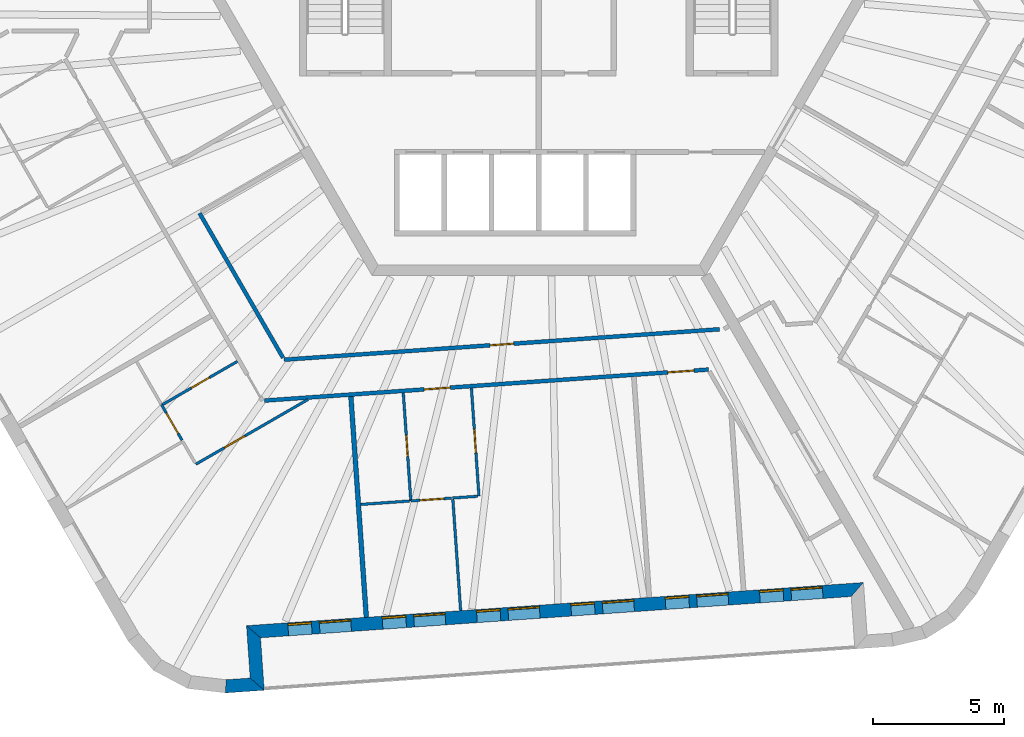
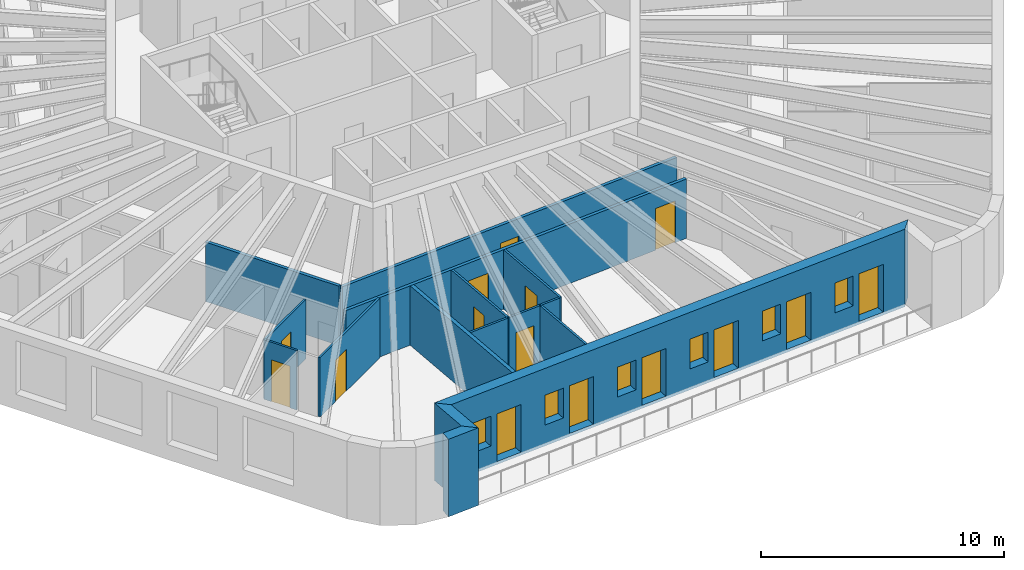
# One storey, part 3 of 12: 16 walls, 15 doors, 6 windows, 21 openings.
"""IFC4 building model written with IfcOpenShell, lengths in metres."""

from ifc_helpers import new_model, si_unit, direction, frame, frame_2d, origin, place, context, subcontext, project, spatial, polyline, rectangle, outline, extrude, material, layer, layer_set, type_object, element, fill, save


model = new_model("IFC4")

# Units and contexts
model_context = context("Model", 3, precision=1e-05, world=origin(), true_north=direction((0.0, 1.0)))
body_context = subcontext(model_context, "Body", "Model", "MODEL_VIEW")
ifc_project = project(units=[si_unit("LENGTHUNIT", "METRE"), si_unit("AREAUNIT", "SQUARE_METRE"), si_unit("VOLUMEUNIT", "CUBIC_METRE"), si_unit("PLANEANGLEUNIT", "RADIAN"), si_unit("MASSUNIT", "GRAM", prefix="KILO")], contexts=[model_context])

# Site, building, storey
site_placement = place(None, origin())
site = spatial("IfcSite", under=ifc_project, at=site_placement, CompositionType="ELEMENT")
building_placement = place(site_placement, origin())
building = spatial("IfcBuilding", under=site, at=building_placement, Name="Tarnside Tower", CompositionType="ELEMENT")
storey_placement = place(building_placement, frame((0.0, 0.0, 310.800048828125)))
storey = spatial("IfcBuildingStorey", under=building, at=storey_placement, Name="L75", CompositionType="ELEMENT", Elevation=310.800048828125)

# Wall, opening, door
ifc_material_1 = material(Name="Gypsum board partition on steel studs", Category="steel")
ifc_layer_1 = layer(ifc_material_1, 0.10009765625)
ifc_layer_set_1 = layer_set([ifc_layer_1], Name="Bathroom wall 100")
wall_type_1 = type_object("IfcWallType", Name="Bathroom wall 100", PredefinedType="PARTITIONING", material=ifc_layer_set_1)
wall_1_placement = place(storey_placement, frame((-11.47509765625, -14.274658203125, 0.0), z_axis=(0.0, 0.0, 1.0), x_axis=(-0.866002163101, -0.500040251884, 0.0)))
wall_1 = element("IfcWall", 1, at=wall_1_placement, inside=storey, type_object=wall_type_1, Name="Bathroom wall 24130", PredefinedType="PARTITIONING", context=body_context, shape_type="SweptSolid", body=[
    extrude(rectangle(XDim=3.324951171875, YDim=0.10009765625, at=frame_2d((1.66259765625, 0.0))), origin(), (0.0, 0.0, 1.0), 2.98779296875),
])
opening_1_placement = place(wall_1_placement, frame((1.22509765625, 0.0, 0.0)))
opening_1 = element("IfcOpeningElement", 2, at=opening_1_placement, cuts=wall_1, Name="Opening D-B1", PredefinedType="OPENING", context=body_context, shape_type="SweptSolid", body=[
    extrude(rectangle(XDim=0.800048828125, YDim=2.10009765625, at=frame_2d((0.39990234375, 1.050048828125))), frame((0.0, 0.06005859375, 0.0), z_axis=(0.0, -1.0, 0.0), x_axis=(1.0, 0.0, 0.0)), (0.0, 0.0, 1.0), 0.1201171875),
])
ifc_material_2 = material(Name="Timber door leaf", Category="wood")
door_type_1 = type_object("IfcDoorType", Name="Bathroom door 800", OperationType="NOTDEFINED", PredefinedType="DOOR", material=ifc_material_2)
door_1_placement = place(opening_1_placement, origin())
door_1 = element("IfcDoor", 3, at=door_1_placement, inside=storey, type_object=door_type_1, Name="Bathroom door 24034", OperationType="SINGLE_SWING_RIGHT", OverallHeight=2.10009765625, OverallWidth=0.800048828125, PredefinedType="DOOR", context=body_context, shape_type="SweptSolid", body=[
    extrude(rectangle(XDim=0.800048828125, YDim=2.10009765625, at=frame_2d((0.39990234375, 1.050048828125))), frame((0.0, 0.02490234375, 0.0), z_axis=(0.0, -1.0, 0.0), x_axis=(1.0, 0.0, 0.0)), (0.0, 0.0, 1.0), 0.050048828125),
])
fill(opening_1, door_1)

wall_2_placement = place(storey_placement, frame((-5.157958984375, -15.472412109375, 0.0), z_axis=(0.0, 0.0, 1.0), x_axis=(0.069779065701, -0.997562470219, 0.0)))
wall_2 = element("IfcWall", 4, at=wall_2_placement, inside=storey, type_object=wall_type_1, Name="Bathroom wall 24137", PredefinedType="PARTITIONING", context=body_context, shape_type="SweptSolid", body=[
    extrude(rectangle(XDim=4.125, YDim=0.10009765625, at=frame_2d((2.0625, 0.0))), origin(), (0.0, 0.0, 1.0), 2.98779296875),
])
opening_2_placement = place(wall_2_placement, frame((1.625, 0.0, 0.0)))
opening_2 = element("IfcOpeningElement", 5, at=opening_2_placement, cuts=wall_2, Name="Opening D-B1", PredefinedType="OPENING", context=body_context, shape_type="SweptSolid", body=[
    extrude(rectangle(XDim=0.800048828125, YDim=2.10009765625, at=frame_2d((0.39990234375, 1.050048828125))), frame((0.0, 0.06005859375, 0.0), z_axis=(0.0, -1.0, 0.0), x_axis=(1.0, 0.0, 0.0)), (0.0, 0.0, 1.0), 0.1201171875),
])
door_2_placement = place(opening_2_placement, origin())
door_2 = element("IfcDoor", 6, at=door_2_placement, inside=storey, type_object=door_type_1, Name="Bathroom door 24038", OperationType="SINGLE_SWING_RIGHT", OverallHeight=2.10009765625, OverallWidth=0.800048828125, PredefinedType="DOOR", context=body_context, shape_type="SweptSolid", body=[
    extrude(rectangle(XDim=0.800048828125, YDim=2.10009765625, at=frame_2d((0.39990234375, 1.050048828125))), frame((0.0, 0.02490234375, 0.0), z_axis=(0.0, -1.0, 0.0), x_axis=(1.0, 0.0, 0.0)), (0.0, 0.0, 1.0), 0.050048828125),
])
fill(opening_2, door_2)

# Wall
wall_3_placement = place(storey_placement, frame((-6.775634765625, -19.720703125, 0.0), z_axis=(0.0, 0.0, 1.0), x_axis=(0.997564079323, 0.069756058123, 0.0)))
element("IfcWall", 7, at=wall_3_placement, inside=storey, type_object=wall_type_1, Name="Bathroom wall 24139", PredefinedType="PARTITIONING", context=body_context, shape_type="SweptSolid", body=[
    extrude(rectangle(XDim=1.862060546875, YDim=0.10009765625, at=frame_2d((0.93115234375, 0.0))), origin(), (0.0, 0.0, 1.0), 2.98779296875),
])

# Wall, openings, doors
ifc_layer_2 = layer(ifc_material_1, 0.14990234375)
ifc_layer_set_2 = layer_set([ifc_layer_2], Name="Corridor wall 150 EI 60")
wall_type_2 = type_object("IfcWallType", Name="Corridor wall 150 EI 60", PredefinedType="PARTITIONING", material=ifc_layer_set_2)
wall_4_placement = place(storey_placement, frame((-10.4404296875, -15.7666015625, 0.0), z_axis=(0.0, 0.0, 1.0), x_axis=(0.997565037323, 0.069742356651, 0.0)))
wall_4 = element("IfcWall", 8, at=wall_4_placement, inside=storey, type_object=wall_type_2, Name="Corridor wall 24034", PredefinedType="PARTITIONING", context=body_context, shape_type="SweptSolid", body=[
    extrude(rectangle(XDim=16.939453125, YDim=0.14990234375, at=frame_2d((8.4697265625, 0.0))), origin(), (0.0, 0.0, 1.0), 2.98779296875),
])
opening_3_placement = place(wall_4_placement, frame((6.090087890625, 0.0, 0.0)))
opening_3 = element("IfcOpeningElement", 9, at=opening_3_placement, cuts=wall_4, Name="Opening D-E1", PredefinedType="OPENING", context=body_context, shape_type="SweptSolid", body=[
    extrude(rectangle(XDim=1.0, YDim=2.10009765625, at=frame_2d((0.5, 1.050048828125))), frame((0.0, 0.0849609375, 0.0), z_axis=(0.0, -1.0, 0.0), x_axis=(1.0, 0.0, 0.0)), (0.0, 0.0, 1.0), 0.169921875),
])
opening_4_placement = place(wall_4_placement, frame((15.39013671875, 0.0, 0.0)))
opening_4 = element("IfcOpeningElement", 10, at=opening_4_placement, cuts=wall_4, Name="Opening D-E1", PredefinedType="OPENING", context=body_context, shape_type="SweptSolid", body=[
    extrude(rectangle(XDim=1.0, YDim=2.10009765625, at=frame_2d((0.5, 1.050048828125))), frame((0.0, 0.0849609375, 0.0), z_axis=(0.0, -1.0, 0.0), x_axis=(1.0, 0.0, 0.0)), (0.0, 0.0, 1.0), 0.169921875),
])
door_type_2 = type_object("IfcDoorType", Name="Unit entrance door 1000 FD30S", OperationType="NOTDEFINED", PredefinedType="DOOR", material=ifc_material_2)
door_3_placement = place(opening_3_placement, origin())
door_3 = element("IfcDoor", 11, at=door_3_placement, inside=storey, type_object=door_type_2, Name="Unit door 24037", OperationType="SINGLE_SWING_LEFT", OverallHeight=2.10009765625, OverallWidth=1.0, PredefinedType="DOOR", context=body_context, shape_type="SweptSolid", body=[
    extrude(rectangle(XDim=1.0, YDim=2.10009765625, at=frame_2d((0.5, 1.050048828125))), frame((0.0, 0.02490234375, 0.0), z_axis=(0.0, -1.0, 0.0), x_axis=(1.0, 0.0, 0.0)), (0.0, 0.0, 1.0), 0.050048828125),
])
fill(opening_3, door_3)
door_4_placement = place(opening_4_placement, origin())
door_4 = element("IfcDoor", 12, at=door_4_placement, inside=storey, type_object=door_type_2, Name="Unit door 24041", OperationType="SINGLE_SWING_LEFT", OverallHeight=2.10009765625, OverallWidth=1.0, PredefinedType="DOOR", context=body_context, shape_type="SweptSolid", body=[
    extrude(rectangle(XDim=1.0, YDim=2.10009765625, at=frame_2d((0.5, 1.050048828125))), frame((0.0, 0.02490234375, 0.0), z_axis=(0.0, -1.0, 0.0), x_axis=(1.0, 0.0, 0.0)), (0.0, 0.0, 1.0), 0.050048828125),
])
fill(opening_4, door_4)

# Wall, opening, door
wall_5_placement = place(storey_placement, frame((6.88427734375, -13.051513671875, 0.0), z_axis=(0.0, 0.0, 1.0), x_axis=(-0.997564224443, -0.069753982764, 0.0)))
wall_5 = element("IfcWall", 13, at=wall_5_placement, inside=storey, type_object=wall_type_2, Name="Corridor wall 24051", PredefinedType="PARTITIONING", context=body_context, shape_type="SweptSolid", body=[
    extrude(rectangle(XDim=16.6181640625, YDim=0.14990234375, at=frame_2d((8.30908203125, 0.0))), origin(), (0.0, 0.0, 1.0), 2.98779296875),
])
opening_5_placement = place(wall_5_placement, frame((7.85888671875, 0.0, 0.0)))
opening_5 = element("IfcOpeningElement", 14, at=opening_5_placement, cuts=wall_5, Name="Opening D-S1", PredefinedType="OPENING", context=body_context, shape_type="SweptSolid", body=[
    extrude(rectangle(XDim=0.89990234375, YDim=2.10009765625, at=frame_2d((0.449951171875, 1.050048828125))), frame((0.0, 0.0849609375, 0.0), z_axis=(0.0, -1.0, 0.0), x_axis=(1.0, 0.0, 0.0)), (0.0, 0.0, 1.0), 0.169921875),
])
door_type_3 = type_object("IfcDoorType", Name="Service room door 900 FD30S", OperationType="NOTDEFINED", PredefinedType="DOOR", material=ifc_material_2)
door_5_placement = place(opening_5_placement, origin())
door_5 = element("IfcDoor", 15, at=door_5_placement, inside=storey, type_object=door_type_3, Name="Service door 24066", OperationType="SINGLE_SWING_RIGHT", OverallHeight=2.10009765625, OverallWidth=0.89990234375, PredefinedType="DOOR", context=body_context, shape_type="SweptSolid", body=[
    extrude(rectangle(XDim=0.89990234375, YDim=2.10009765625, at=frame_2d((0.449951171875, 1.050048828125))), frame((0.0, 0.02490234375, 0.0), z_axis=(0.0, -1.0, 0.0), x_axis=(1.0, 0.0, 0.0)), (0.0, 0.0, 1.0), 0.050048828125),
])
fill(opening_5, door_5)

# Walls
wall_6_placement = place(storey_placement, frame((-9.73486328125, -14.138427734375, 0.0), z_axis=(0.0, 0.0, 1.0), x_axis=(-0.500018385592, 0.866014788598, 0.0)))
element("IfcWall", 16, at=wall_6_placement, inside=storey, type_object=wall_type_2, Name="Corridor wall 24052", PredefinedType="PARTITIONING", context=body_context, shape_type="SweptSolid", body=[
    extrude(rectangle(XDim=6.355712890625, YDim=0.14990234375, at=frame_2d((3.177734375, 0.0))), origin(), (0.0, 0.0, 1.0), 2.98779296875),
])
ifc_layer_3 = layer(ifc_material_1, 0.179931640625)
ifc_layer_set_3 = layer_set([ifc_layer_3], Name="Demising wall 180 EI 60")
wall_type_3 = type_object("IfcWallType", Name="Demising wall 180 EI 60", PredefinedType="PARTITIONING", material=ifc_layer_set_3)
wall_7_placement = place(storey_placement, frame((-6.5654296875, -24.0166015625, 0.0), z_axis=(0.0, 0.0, 1.0), x_axis=(-0.069749826803, 0.997564515037, 0.0)))
element("IfcWall", 17, at=wall_7_placement, inside=storey, type_object=wall_type_3, Name="Demising wall 24128", PredefinedType="PARTITIONING", context=body_context, shape_type="SweptSolid", body=[
    extrude(rectangle(XDim=8.425048828125, YDim=0.179931640625, at=frame_2d((4.21240234375, 0.0))), origin(), (0.0, 0.0, 1.0), 2.98779296875),
])
ifc_material_3 = material(Name="Dark zinc cladding")
ifc_layer_4 = layer(ifc_material_3, 0.10205078125)
ifc_material_4 = material(Name="Concrete C60/75 precast", Category="concrete")
ifc_layer_5 = layer(ifc_material_4, 0.298095703125)
ifc_material_5 = material(Name="Mineral wool insulation")
ifc_layer_6 = layer(ifc_material_5, 0.10009765625)
ifc_layer_set_4 = layer_set([ifc_layer_4, ifc_layer_5, ifc_layer_6], Name="Loggia wall 500 zinc faced")
wall_type_4 = type_object("IfcWallType", Name="Loggia wall 500 zinc faced", PredefinedType="SOLIDWALL", material=ifc_layer_set_4)
wall_8_placement = place(storey_placement, frame((-11.91748046875, -26.646240234375, -0.150146484375), z_axis=(0.0, 0.0, 1.0), x_axis=(0.997562933087, 0.069772448216, 0.0)))
element("IfcWall", 18, at=wall_8_placement, inside=storey, type_object=wall_type_4, Name="Tube wall L75 F4 stub 16", PredefinedType="SOLIDWALL", context=body_context, shape_type="SweptSolid", body=[
    extrude(outline(polyline([(-0.0234375, -0.25), (1.4501953125, -0.25), (0.9501953125, 0.25), (0.0234375, 0.25), (-0.0234375, -0.25)])), origin(), (0.0, 0.0, 1.0), 3.900146484375),
])
wall_9_placement = place(storey_placement, frame((-10.72021484375, -26.5625, -0.150146484375), z_axis=(0.0, 0.0, 1.0), x_axis=(-0.069824268692, 0.99755930726, 0.0)))
element("IfcWall", 19, at=wall_9_placement, inside=storey, type_object=wall_type_4, Name="Tube wall L75 F4 return 17", PredefinedType="SOLIDWALL", context=body_context, shape_type="SweptSolid", body=[
    extrude(outline(polyline([(-0.25, -0.25), (1.75, -0.25), (2.25, 0.25), (0.25, 0.25), (-0.25, -0.25)])), origin(), (0.0, 0.0, 1.0), 3.900146484375),
])

# Wall, openings, doors, windows
wall_10_placement = place(storey_placement, frame((-10.85986328125, -24.5673828125, -0.150146484375), z_axis=(0.0, 0.0, 1.0), x_axis=(0.997564329317, 0.06975248292, 0.0)))
wall_10 = element("IfcWall", 20, at=wall_10_placement, inside=storey, type_object=wall_type_4, Name="Tube wall L75 F4 back 18", PredefinedType="SOLIDWALL", context=body_context, shape_type="SweptSolid", body=[
    extrude(outline(polyline([(0.25, -0.25), (22.794677734375, -0.25), (23.294677734375, 0.25), (-0.25, 0.25), (0.25, -0.25)])), origin(), (0.0, 0.0, 1.0), 3.900146484375),
])
opening_6_placement = place(wall_10_placement, frame((1.322509765625, 0.0, 1.050048828125)))
opening_6 = element("IfcOpeningElement", 21, at=opening_6_placement, cuts=wall_10, Name="Opening WL500", PredefinedType="OPENING", context=body_context, shape_type="SweptSolid", body=[
    extrude(rectangle(XDim=0.89990234375, YDim=1.5, at=frame_2d((0.449951171875, 0.75))), frame((0.0, 0.260009765625, 0.0), z_axis=(0.0, -1.0, 0.0), x_axis=(1.0, 0.0, 0.0)), (0.0, 0.0, 1.0), 0.52001953125),
])
opening_7_placement = place(wall_10_placement, frame((2.5224609375, 0.0, 0.14990234375)))
opening_7 = element("IfcOpeningElement", 22, at=opening_7_placement, cuts=wall_10, Name="Opening DB500", PredefinedType="OPENING", context=body_context, shape_type="SweptSolid", body=[
    extrude(rectangle(XDim=1.199951171875, YDim=2.39990234375, at=frame_2d((0.60009765625, 1.199951171875))), frame((0.0, 0.260009765625, 0.0), z_axis=(0.0, -1.0, 0.0), x_axis=(1.0, 0.0, 0.0)), (0.0, 0.0, 1.0), 0.52001953125),
])
opening_8_placement = place(wall_10_placement, frame((4.92236328125, 0.0, 1.050048828125)))
opening_8 = element("IfcOpeningElement", 23, at=opening_8_placement, cuts=wall_10, Name="Opening WL500", PredefinedType="OPENING", context=body_context, shape_type="SweptSolid", body=[
    extrude(rectangle(XDim=0.89990234375, YDim=1.5, at=frame_2d((0.449951171875, 0.75))), frame((0.0, 0.260009765625, 0.0), z_axis=(0.0, -1.0, 0.0), x_axis=(1.0, 0.0, 0.0)), (0.0, 0.0, 1.0), 0.52001953125),
])
opening_9_placement = place(wall_10_placement, frame((6.122314453125, 0.0, 0.14990234375)))
opening_9 = element("IfcOpeningElement", 24, at=opening_9_placement, cuts=wall_10, Name="Opening DB500", PredefinedType="OPENING", context=body_context, shape_type="SweptSolid", body=[
    extrude(rectangle(XDim=1.199951171875, YDim=2.39990234375, at=frame_2d((0.60009765625, 1.199951171875))), frame((0.0, 0.260009765625, 0.0), z_axis=(0.0, -1.0, 0.0), x_axis=(1.0, 0.0, 0.0)), (0.0, 0.0, 1.0), 0.52001953125),
])
opening_10_placement = place(wall_10_placement, frame((8.5224609375, 0.0, 1.050048828125)))
opening_10 = element("IfcOpeningElement", 25, at=opening_10_placement, cuts=wall_10, Name="Opening WL500", PredefinedType="OPENING", context=body_context, shape_type="SweptSolid", body=[
    extrude(rectangle(XDim=0.89990234375, YDim=1.5, at=frame_2d((0.449951171875, 0.75))), frame((0.0, 0.260009765625, 0.0), z_axis=(0.0, -1.0, 0.0), x_axis=(1.0, 0.0, 0.0)), (0.0, 0.0, 1.0), 0.52001953125),
])
opening_11_placement = place(wall_10_placement, frame((9.722412109375, 0.0, 0.14990234375)))
opening_11 = element("IfcOpeningElement", 26, at=opening_11_placement, cuts=wall_10, Name="Opening DB500", PredefinedType="OPENING", context=body_context, shape_type="SweptSolid", body=[
    extrude(rectangle(XDim=1.199951171875, YDim=2.39990234375, at=frame_2d((0.60009765625, 1.199951171875))), frame((0.0, 0.260009765625, 0.0), z_axis=(0.0, -1.0, 0.0), x_axis=(1.0, 0.0, 0.0)), (0.0, 0.0, 1.0), 0.52001953125),
])
opening_12_placement = place(wall_10_placement, frame((12.122314453125, 0.0, 1.050048828125)))
opening_12 = element("IfcOpeningElement", 27, at=opening_12_placement, cuts=wall_10, Name="Opening WL500", PredefinedType="OPENING", context=body_context, shape_type="SweptSolid", body=[
    extrude(rectangle(XDim=0.89990234375, YDim=1.5, at=frame_2d((0.449951171875, 0.75))), frame((0.0, 0.260009765625, 0.0), z_axis=(0.0, -1.0, 0.0), x_axis=(1.0, 0.0, 0.0)), (0.0, 0.0, 1.0), 0.52001953125),
])
opening_13_placement = place(wall_10_placement, frame((13.322509765625, 0.0, 0.14990234375)))
opening_13 = element("IfcOpeningElement", 28, at=opening_13_placement, cuts=wall_10, Name="Opening DB500", PredefinedType="OPENING", context=body_context, shape_type="SweptSolid", body=[
    extrude(rectangle(XDim=1.199951171875, YDim=2.39990234375, at=frame_2d((0.60009765625, 1.199951171875))), frame((0.0, 0.260009765625, 0.0), z_axis=(0.0, -1.0, 0.0), x_axis=(1.0, 0.0, 0.0)), (0.0, 0.0, 1.0), 0.52001953125),
])
opening_14_placement = place(wall_10_placement, frame((15.722412109375, 0.0, 1.050048828125)))
opening_14 = element("IfcOpeningElement", 29, at=opening_14_placement, cuts=wall_10, Name="Opening WL500", PredefinedType="OPENING", context=body_context, shape_type="SweptSolid", body=[
    extrude(rectangle(XDim=0.89990234375, YDim=1.5, at=frame_2d((0.449951171875, 0.75))), frame((0.0, 0.260009765625, 0.0), z_axis=(0.0, -1.0, 0.0), x_axis=(1.0, 0.0, 0.0)), (0.0, 0.0, 1.0), 0.52001953125),
])
opening_15_placement = place(wall_10_placement, frame((16.92236328125, 0.0, 0.14990234375)))
opening_15 = element("IfcOpeningElement", 30, at=opening_15_placement, cuts=wall_10, Name="Opening DB500", PredefinedType="OPENING", context=body_context, shape_type="SweptSolid", body=[
    extrude(rectangle(XDim=1.199951171875, YDim=2.39990234375, at=frame_2d((0.60009765625, 1.199951171875))), frame((0.0, 0.260009765625, 0.0), z_axis=(0.0, -1.0, 0.0), x_axis=(1.0, 0.0, 0.0)), (0.0, 0.0, 1.0), 0.52001953125),
])
opening_16_placement = place(wall_10_placement, frame((19.322509765625, 0.0, 1.050048828125)))
opening_16 = element("IfcOpeningElement", 31, at=opening_16_placement, cuts=wall_10, Name="Opening WL500", PredefinedType="OPENING", context=body_context, shape_type="SweptSolid", body=[
    extrude(rectangle(XDim=0.89990234375, YDim=1.5, at=frame_2d((0.449951171875, 0.75))), frame((0.0, 0.260009765625, 0.0), z_axis=(0.0, -1.0, 0.0), x_axis=(1.0, 0.0, 0.0)), (0.0, 0.0, 1.0), 0.52001953125),
])
opening_17_placement = place(wall_10_placement, frame((20.5224609375, 0.0, 0.14990234375)))
opening_17 = element("IfcOpeningElement", 32, at=opening_17_placement, cuts=wall_10, Name="Opening DB500", PredefinedType="OPENING", context=body_context, shape_type="SweptSolid", body=[
    extrude(rectangle(XDim=1.199951171875, YDim=2.39990234375, at=frame_2d((0.60009765625, 1.199951171875))), frame((0.0, 0.260009765625, 0.0), z_axis=(0.0, -1.0, 0.0), x_axis=(1.0, 0.0, 0.0)), (0.0, 0.0, 1.0), 0.52001953125),
])
ifc_material_6 = material(Name="Aluminium-framed double glazing", Category="aluminium")
door_type_4 = type_object("IfcDoorType", Name="Balcony sliding door 1200 x 2400 in 500 wall", OperationType="SLIDING_TO_LEFT", PredefinedType="DOOR", material=ifc_material_6)
door_6_placement = place(opening_7_placement, frame((0.0, 0.1748046875, 0.0)))
door_6 = element("IfcDoor", 33, at=door_6_placement, inside=storey, type_object=door_type_4, Name="E.BD.L75.F4.00", OperationType="SLIDING_TO_LEFT", OverallHeight=2.39990234375, OverallWidth=1.199951171875, PredefinedType="DOOR", context=body_context, shape_type="SweptSolid", body=[
    extrude(rectangle(XDim=1.199951171875, YDim=2.39990234375, at=frame_2d((0.60009765625, 1.199951171875))), frame((0.0, 0.02490234375, 0.0), z_axis=(0.0, -1.0, 0.0), x_axis=(1.0, 0.0, 0.0)), (0.0, 0.0, 1.0), 0.050048828125),
])
fill(opening_7, door_6)
door_7_placement = place(opening_9_placement, frame((0.0, 0.1748046875, 0.0)))
door_7 = element("IfcDoor", 34, at=door_7_placement, inside=storey, type_object=door_type_4, Name="E.BD.L75.F4.01", OperationType="SLIDING_TO_LEFT", OverallHeight=2.39990234375, OverallWidth=1.199951171875, PredefinedType="DOOR", context=body_context, shape_type="SweptSolid", body=[
    extrude(rectangle(XDim=1.199951171875, YDim=2.39990234375, at=frame_2d((0.60009765625, 1.199951171875))), frame((0.0, 0.02490234375, 0.0), z_axis=(0.0, -1.0, 0.0), x_axis=(1.0, 0.0, 0.0)), (0.0, 0.0, 1.0), 0.050048828125),
])
fill(opening_9, door_7)
door_8_placement = place(opening_11_placement, frame((0.0, 0.1748046875, 0.0)))
door_8 = element("IfcDoor", 35, at=door_8_placement, inside=storey, type_object=door_type_4, Name="E.BD.L75.F4.02", OperationType="SLIDING_TO_LEFT", OverallHeight=2.39990234375, OverallWidth=1.199951171875, PredefinedType="DOOR", context=body_context, shape_type="SweptSolid", body=[
    extrude(rectangle(XDim=1.199951171875, YDim=2.39990234375, at=frame_2d((0.60009765625, 1.199951171875))), frame((0.0, 0.02490234375, 0.0), z_axis=(0.0, -1.0, 0.0), x_axis=(1.0, 0.0, 0.0)), (0.0, 0.0, 1.0), 0.050048828125),
])
fill(opening_11, door_8)
door_9_placement = place(opening_13_placement, frame((0.0, 0.1748046875, 0.0)))
door_9 = element("IfcDoor", 36, at=door_9_placement, inside=storey, type_object=door_type_4, Name="E.BD.L75.F4.03", OperationType="SLIDING_TO_LEFT", OverallHeight=2.39990234375, OverallWidth=1.199951171875, PredefinedType="DOOR", context=body_context, shape_type="SweptSolid", body=[
    extrude(rectangle(XDim=1.199951171875, YDim=2.39990234375, at=frame_2d((0.60009765625, 1.199951171875))), frame((0.0, 0.02490234375, 0.0), z_axis=(0.0, -1.0, 0.0), x_axis=(1.0, 0.0, 0.0)), (0.0, 0.0, 1.0), 0.050048828125),
])
fill(opening_13, door_9)
door_10_placement = place(opening_15_placement, frame((0.0, 0.1748046875, 0.0)))
door_10 = element("IfcDoor", 37, at=door_10_placement, inside=storey, type_object=door_type_4, Name="E.BD.L75.F4.04", OperationType="SLIDING_TO_LEFT", OverallHeight=2.39990234375, OverallWidth=1.199951171875, PredefinedType="DOOR", context=body_context, shape_type="SweptSolid", body=[
    extrude(rectangle(XDim=1.199951171875, YDim=2.39990234375, at=frame_2d((0.60009765625, 1.199951171875))), frame((0.0, 0.02490234375, 0.0), z_axis=(0.0, -1.0, 0.0), x_axis=(1.0, 0.0, 0.0)), (0.0, 0.0, 1.0), 0.050048828125),
])
fill(opening_15, door_10)
door_11_placement = place(opening_17_placement, frame((0.0, 0.1748046875, 0.0)))
door_11 = element("IfcDoor", 38, at=door_11_placement, inside=storey, type_object=door_type_4, Name="E.BD.L75.F4.05", OperationType="SLIDING_TO_LEFT", OverallHeight=2.39990234375, OverallWidth=1.199951171875, PredefinedType="DOOR", context=body_context, shape_type="SweptSolid", body=[
    extrude(rectangle(XDim=1.199951171875, YDim=2.39990234375, at=frame_2d((0.60009765625, 1.199951171875))), frame((0.0, 0.02490234375, 0.0), z_axis=(0.0, -1.0, 0.0), x_axis=(1.0, 0.0, 0.0)), (0.0, 0.0, 1.0), 0.050048828125),
])
fill(opening_17, door_11)
window_type = type_object("IfcWindowType", Name="Loggia window 900 x 1500 in 500 wall", PartitioningType="SINGLE_PANEL", PredefinedType="WINDOW", material=ifc_material_6)
window_1_placement = place(opening_6_placement, frame((0.0, 0.179931640625, 0.0)))
window_1 = element("IfcWindow", 39, at=window_1_placement, inside=storey, type_object=window_type, Name="E.LW.L75.F4.00", OverallHeight=1.5, OverallWidth=0.89990234375, PartitioningType="SINGLE_PANEL", PredefinedType="WINDOW", context=body_context, shape_type="SweptSolid", body=[
    extrude(rectangle(XDim=0.89990234375, YDim=1.5, at=frame_2d((0.449951171875, 0.75))), frame((0.0, 0.030029296875, 0.0), z_axis=(0.0, -1.0, 0.0), x_axis=(1.0, 0.0, 0.0)), (0.0, 0.0, 1.0), 0.06005859375),
])
fill(opening_6, window_1)
window_2_placement = place(opening_8_placement, frame((0.0, 0.179931640625, 0.0)))
window_2 = element("IfcWindow", 40, at=window_2_placement, inside=storey, type_object=window_type, Name="E.LW.L75.F4.01", OverallHeight=1.5, OverallWidth=0.89990234375, PartitioningType="SINGLE_PANEL", PredefinedType="WINDOW", context=body_context, shape_type="SweptSolid", body=[
    extrude(rectangle(XDim=0.89990234375, YDim=1.5, at=frame_2d((0.449951171875, 0.75))), frame((0.0, 0.030029296875, 0.0), z_axis=(0.0, -1.0, 0.0), x_axis=(1.0, 0.0, 0.0)), (0.0, 0.0, 1.0), 0.06005859375),
])
fill(opening_8, window_2)
window_3_placement = place(opening_10_placement, frame((0.0, 0.179931640625, 0.0)))
window_3 = element("IfcWindow", 41, at=window_3_placement, inside=storey, type_object=window_type, Name="E.LW.L75.F4.02", OverallHeight=1.5, OverallWidth=0.89990234375, PartitioningType="SINGLE_PANEL", PredefinedType="WINDOW", context=body_context, shape_type="SweptSolid", body=[
    extrude(rectangle(XDim=0.89990234375, YDim=1.5, at=frame_2d((0.449951171875, 0.75))), frame((0.0, 0.030029296875, 0.0), z_axis=(0.0, -1.0, 0.0), x_axis=(1.0, 0.0, 0.0)), (0.0, 0.0, 1.0), 0.06005859375),
])
fill(opening_10, window_3)
window_4_placement = place(opening_12_placement, frame((0.0, 0.179931640625, 0.0)))
window_4 = element("IfcWindow", 42, at=window_4_placement, inside=storey, type_object=window_type, Name="E.LW.L75.F4.03", OverallHeight=1.5, OverallWidth=0.89990234375, PartitioningType="SINGLE_PANEL", PredefinedType="WINDOW", context=body_context, shape_type="SweptSolid", body=[
    extrude(rectangle(XDim=0.89990234375, YDim=1.5, at=frame_2d((0.449951171875, 0.75))), frame((0.0, 0.030029296875, 0.0), z_axis=(0.0, -1.0, 0.0), x_axis=(1.0, 0.0, 0.0)), (0.0, 0.0, 1.0), 0.06005859375),
])
fill(opening_12, window_4)
window_5_placement = place(opening_14_placement, frame((0.0, 0.179931640625, 0.0)))
window_5 = element("IfcWindow", 43, at=window_5_placement, inside=storey, type_object=window_type, Name="E.LW.L75.F4.04", OverallHeight=1.5, OverallWidth=0.89990234375, PartitioningType="SINGLE_PANEL", PredefinedType="WINDOW", context=body_context, shape_type="SweptSolid", body=[
    extrude(rectangle(XDim=0.89990234375, YDim=1.5, at=frame_2d((0.449951171875, 0.75))), frame((0.0, 0.030029296875, 0.0), z_axis=(0.0, -1.0, 0.0), x_axis=(1.0, 0.0, 0.0)), (0.0, 0.0, 1.0), 0.06005859375),
])
fill(opening_14, window_5)
window_6_placement = place(opening_16_placement, frame((0.0, 0.179931640625, 0.0)))
window_6 = element("IfcWindow", 44, at=window_6_placement, inside=storey, type_object=window_type, Name="E.LW.L75.F4.05", OverallHeight=1.5, OverallWidth=0.89990234375, PartitioningType="SINGLE_PANEL", PredefinedType="WINDOW", context=body_context, shape_type="SweptSolid", body=[
    extrude(rectangle(XDim=0.89990234375, YDim=1.5, at=frame_2d((0.449951171875, 0.75))), frame((0.0, 0.030029296875, 0.0), z_axis=(0.0, -1.0, 0.0), x_axis=(1.0, 0.0, 0.0)), (0.0, 0.0, 1.0), 0.06005859375),
])
fill(opening_16, window_6)

# Wall, opening, door
ifc_layer_7 = layer(ifc_material_1, 0.10009765625)
ifc_layer_set_5 = layer_set([ifc_layer_7], Name="Partition 100")
wall_type_5 = type_object("IfcWallType", Name="Partition 100", PredefinedType="PARTITIONING", material=ifc_layer_set_5)
wall_11_placement = place(storey_placement, frame((-8.789306640625, -15.726318359375, 0.0), z_axis=(0.0, 0.0, 1.0), x_axis=(-0.866010575439, -0.500025682568, 0.0)))
wall_11 = element("IfcWall", 45, at=wall_11_placement, inside=storey, type_object=wall_type_5, Name="Partition wall 24125", PredefinedType="PARTITIONING", context=body_context, shape_type="SweptSolid", body=[
    extrude(rectangle(XDim=4.925048828125, YDim=0.10009765625, at=frame_2d((2.46240234375, 0.0))), origin(), (0.0, 0.0, 1.0), 2.98779296875),
])
opening_18_placement = place(wall_11_placement, frame((2.77490234375, 0.0, 0.0)))
opening_18 = element("IfcOpeningElement", 46, at=opening_18_placement, cuts=wall_11, Name="Opening D-I1", PredefinedType="OPENING", context=body_context, shape_type="SweptSolid", body=[
    extrude(rectangle(XDim=0.89990234375, YDim=2.10009765625, at=frame_2d((0.449951171875, 1.050048828125))), frame((0.0, 0.06005859375, 0.0), z_axis=(0.0, -1.0, 0.0), x_axis=(1.0, 0.0, 0.0)), (0.0, 0.0, 1.0), 0.1201171875),
])
door_type_5 = type_object("IfcDoorType", Name="Internal door 900", OperationType="NOTDEFINED", PredefinedType="DOOR", material=ifc_material_2)
door_12_placement = place(opening_18_placement, origin())
door_12 = element("IfcDoor", 47, at=door_12_placement, inside=storey, type_object=door_type_5, Name="Internal door 24035", OperationType="SINGLE_SWING_LEFT", OverallHeight=2.10009765625, OverallWidth=0.89990234375, PredefinedType="DOOR", context=body_context, shape_type="SweptSolid", body=[
    extrude(rectangle(XDim=0.89990234375, YDim=2.10009765625, at=frame_2d((0.449951171875, 1.050048828125))), frame((0.0, 0.02490234375, 0.0), z_axis=(0.0, -1.0, 0.0), x_axis=(1.0, 0.0, 0.0)), (0.0, 0.0, 1.0), 0.050048828125),
])
fill(opening_18, door_12)

wall_12_placement = place(storey_placement, frame((-14.35546875, -15.935546875, 0.0), z_axis=(0.0, 0.0, 1.0), x_axis=(0.499963041308, -0.866046740844, 0.0)))
wall_12 = element("IfcWall", 48, at=wall_12_placement, inside=storey, type_object=wall_type_5, Name="Partition wall 24131", PredefinedType="PARTITIONING", context=body_context, shape_type="SweptSolid", body=[
    extrude(rectangle(XDim=1.5517578125, YDim=0.10009765625, at=frame_2d((0.77587890625, 0.0))), origin(), (0.0, 0.0, 1.0), 2.98779296875),
])
opening_19_placement = place(wall_12_placement, frame((0.35205078125, 0.0, 0.0)))
opening_19 = element("IfcOpeningElement", 49, at=opening_19_placement, cuts=wall_12, Name="Opening D-I1", PredefinedType="OPENING", context=body_context, shape_type="SweptSolid", body=[
    extrude(rectangle(XDim=0.89990234375, YDim=2.10009765625, at=frame_2d((0.449951171875, 1.050048828125))), frame((0.0, 0.06005859375, 0.0), z_axis=(0.0, -1.0, 0.0), x_axis=(1.0, 0.0, 0.0)), (0.0, 0.0, 1.0), 0.1201171875),
])
door_13_placement = place(opening_19_placement, origin())
door_13 = element("IfcDoor", 50, at=door_13_placement, inside=storey, type_object=door_type_5, Name="Internal door 24036", OperationType="SINGLE_SWING_LEFT", OverallHeight=2.10009765625, OverallWidth=0.89990234375, PredefinedType="DOOR", context=body_context, shape_type="SweptSolid", body=[
    extrude(rectangle(XDim=0.89990234375, YDim=2.10009765625, at=frame_2d((0.449951171875, 1.050048828125))), frame((0.0, 0.02490234375, 0.0), z_axis=(0.0, -1.0, 0.0), x_axis=(1.0, 0.0, 0.0)), (0.0, 0.0, 1.0), 0.050048828125),
])
fill(opening_19, door_13)

wall_13_placement = place(storey_placement, frame((-2.564208984375, -15.291015625, 0.0), z_axis=(0.0, 0.0, 1.0), x_axis=(0.069720168556, -0.997566588302, 0.0)))
wall_13 = element("IfcWall", 51, at=wall_13_placement, inside=storey, type_object=wall_type_5, Name="Partition wall 24133", PredefinedType="PARTITIONING", context=body_context, shape_type="SweptSolid", body=[
    extrude(rectangle(XDim=4.125, YDim=0.10009765625, at=frame_2d((2.0625, 0.0))), origin(), (0.0, 0.0, 1.0), 2.98779296875),
])
opening_20_placement = place(wall_13_placement, frame((1.574951171875, 0.0, 0.0)))
opening_20 = element("IfcOpeningElement", 52, at=opening_20_placement, cuts=wall_13, Name="Opening D-I1", PredefinedType="OPENING", context=body_context, shape_type="SweptSolid", body=[
    extrude(rectangle(XDim=0.89990234375, YDim=2.10009765625, at=frame_2d((0.449951171875, 1.050048828125))), frame((0.0, 0.06005859375, 0.0), z_axis=(0.0, -1.0, 0.0), x_axis=(1.0, 0.0, 0.0)), (0.0, 0.0, 1.0), 0.1201171875),
])
door_14_placement = place(opening_20_placement, origin())
door_14 = element("IfcDoor", 53, at=door_14_placement, inside=storey, type_object=door_type_5, Name="Internal door 24039", OperationType="SINGLE_SWING_RIGHT", OverallHeight=2.10009765625, OverallWidth=0.89990234375, PredefinedType="DOOR", context=body_context, shape_type="SweptSolid", body=[
    extrude(rectangle(XDim=0.89990234375, YDim=2.10009765625, at=frame_2d((0.449951171875, 1.050048828125))), frame((0.0, 0.02490234375, 0.0), z_axis=(0.0, -1.0, 0.0), x_axis=(1.0, 0.0, 0.0)), (0.0, 0.0, 1.0), 0.050048828125),
])
fill(opening_20, door_14)

# Walls
wall_14_placement = place(storey_placement, frame((-2.326416015625, -19.40966796875, 0.0), z_axis=(0.0, 0.0, 1.0), x_axis=(-0.997564323253, -0.069752569646, 0.0)))
element("IfcWall", 54, at=wall_14_placement, inside=storey, type_object=wall_type_5, Name="Partition wall 24134", PredefinedType="PARTITIONING", context=body_context, shape_type="SweptSolid", body=[
    extrude(rectangle(XDim=0.951904296875, YDim=0.10009765625, at=frame_2d((0.47607421875, 0.0))), origin(), (0.0, 0.0, 1.0), 2.98779296875),
])
wall_15_placement = place(storey_placement, frame((-3.270751953125, -19.525634765625, 0.0), z_axis=(0.0, 0.0, 1.0), x_axis=(0.069793686433, -0.997561447398, 0.0)))
element("IfcWall", 55, at=wall_15_placement, inside=storey, type_object=wall_type_5, Name="Partition wall 24135", PredefinedType="PARTITIONING", context=body_context, shape_type="SweptSolid", body=[
    extrude(rectangle(XDim=4.25, YDim=0.10009765625, at=frame_2d((2.125, 0.0))), origin(), (0.0, 0.0, 1.0), 2.98779296875),
])

# Wall, opening, door
wall_16_placement = place(storey_placement, frame((-4.872314453125, -19.587646484375, 0.0), z_axis=(0.0, 0.0, 1.0), x_axis=(0.997558309684, 0.069838519316, 0.0)))
wall_16 = element("IfcWall", 56, at=wall_16_placement, inside=storey, type_object=wall_type_5, Name="Partition wall 24138", PredefinedType="PARTITIONING", context=body_context, shape_type="SweptSolid", body=[
    extrude(rectangle(XDim=1.55224609375, YDim=0.10009765625, at=frame_2d((0.776123046875, 0.0))), origin(), (0.0, 0.0, 1.0), 2.98779296875),
])
opening_21_placement = place(wall_16_placement, frame((0.35205078125, 0.0, 0.0)))
opening_21 = element("IfcOpeningElement", 57, at=opening_21_placement, cuts=wall_16, Name="Opening D-I1", PredefinedType="OPENING", context=body_context, shape_type="SweptSolid", body=[
    extrude(rectangle(XDim=0.89990234375, YDim=2.10009765625, at=frame_2d((0.449951171875, 1.050048828125))), frame((0.0, 0.06005859375, 0.0), z_axis=(0.0, -1.0, 0.0), x_axis=(1.0, 0.0, 0.0)), (0.0, 0.0, 1.0), 0.1201171875),
])
door_15_placement = place(opening_21_placement, origin())
door_15 = element("IfcDoor", 58, at=door_15_placement, inside=storey, type_object=door_type_5, Name="Internal door 24040", OperationType="SINGLE_SWING_LEFT", OverallHeight=2.10009765625, OverallWidth=0.89990234375, PredefinedType="DOOR", context=body_context, shape_type="SweptSolid", body=[
    extrude(rectangle(XDim=0.89990234375, YDim=2.10009765625, at=frame_2d((0.449951171875, 1.050048828125))), frame((0.0, 0.02490234375, 0.0), z_axis=(0.0, -1.0, 0.0), x_axis=(1.0, 0.0, 0.0)), (0.0, 0.0, 1.0), 0.050048828125),
])
fill(opening_21, door_15)

save(model, "model.ifc")
